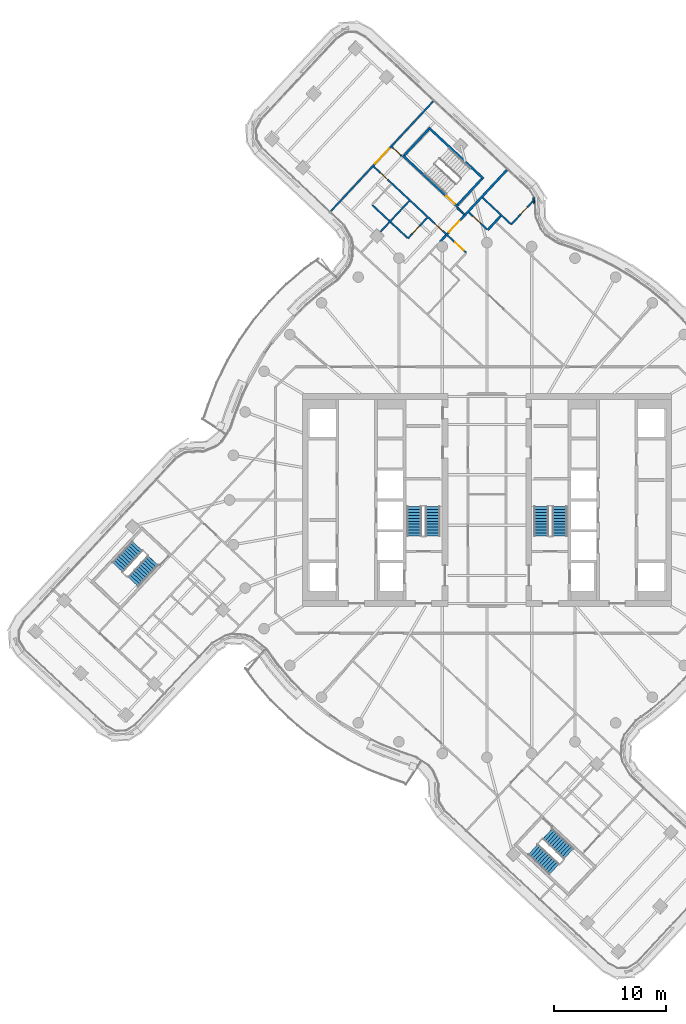
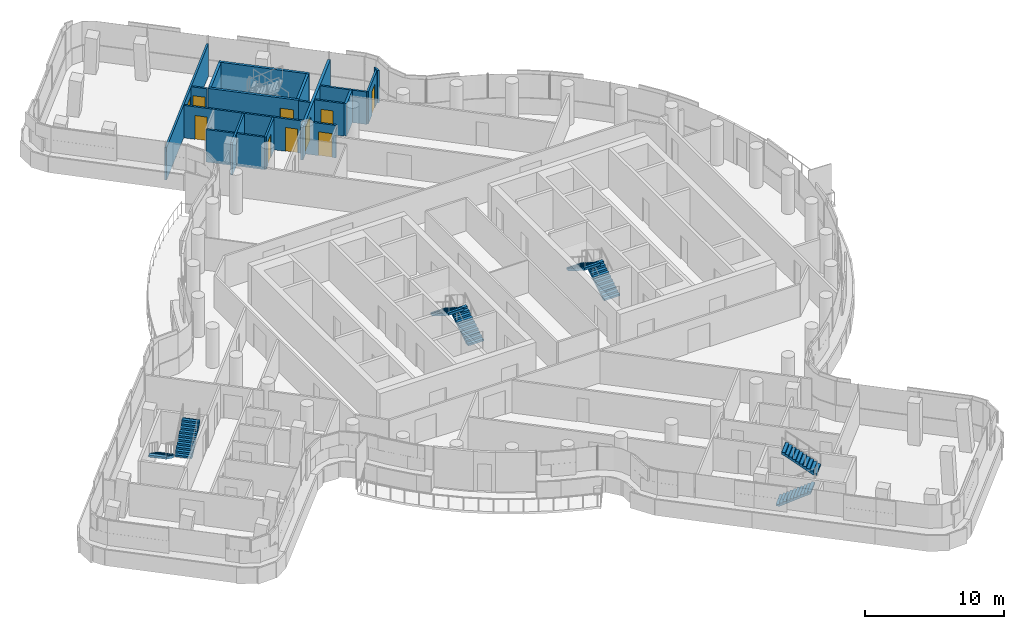
# One storey, part 21 of 30: 17 walls, 10 doors, 8 stair flights, 10 openings, 4 elements without a shape of their own.
"""IFC4 building model written with IfcOpenShell, lengths in metres."""

from ifc_helpers import new_model, si_unit, direction, frame, frame_2d, origin, place, context, subcontext, project, spatial, polyline, rectangle, outline, extrude, material, layer, layer_set, type_object, element, fill, aggregate, save


model = new_model("IFC4")

# Units and contexts
model_context = context("Model", 3, precision=1e-05, world=origin(), true_north=direction((0.0, 1.0)))
body_context = subcontext(model_context, "Body", "Model", "MODEL_VIEW")
ifc_project = project(units=[si_unit("LENGTHUNIT", "METRE"), si_unit("AREAUNIT", "SQUARE_METRE"), si_unit("VOLUMEUNIT", "CUBIC_METRE"), si_unit("PLANEANGLEUNIT", "RADIAN"), si_unit("MASSUNIT", "GRAM", prefix="KILO")], contexts=[model_context])

# Site, building, storey
site_placement = place(None, origin())
site = spatial("IfcSite", under=ifc_project, at=site_placement, CompositionType="ELEMENT")
building_placement = place(site_placement, origin())
building = spatial("IfcBuilding", under=site, at=building_placement, Name="Tamarind Cross Interchange Tower", CompositionType="ELEMENT")
storey_placement = place(building_placement, frame((0.0, 0.0, 204.10009765625)))
storey = spatial("IfcBuildingStorey", under=building, at=storey_placement, Name="L51", CompositionType="ELEMENT", Elevation=204.10009765625)

# Wall
ifc_material_1 = material(Name="Gypsum board partition on steel studs", Category="steel")
ifc_layer_1 = layer(ifc_material_1, 0.14990234375)
ifc_layer_set_1 = layer_set([ifc_layer_1], Name="Gypsum board partition on steel studs")
wall_type_1 = type_object("IfcWallType", Name="Partition 150 mm EI 120", PredefinedType="PARTITIONING", material=ifc_layer_set_1)
wall_1_placement = place(storey_placement, frame((-10.24267578125, 26.351806640625, 0.0), z_axis=(0.0, 0.0, 1.0), x_axis=(0.731425369859, -0.681921497187, 0.0)))
element("IfcWall", 1, at=wall_1_placement, inside=storey, type_object=wall_type_1, Name="Partition L51-017", PredefinedType="PARTITIONING", context=body_context, shape_type="SweptSolid", body=[
    extrude(rectangle(XDim=4.3203125, YDim=0.14990234375, at=frame_2d((2.16015625, 0.0))), origin(), (0.0, 0.0, 1.0), 2.864013671875),
])

# Wall, openings, doors
wall_2_placement = place(storey_placement, frame((-10.12353515625, 29.79443359375, 0.0), z_axis=(0.0, 0.0, 1.0), x_axis=(0.7316631589, -0.681666356738, 0.0)))
wall_2 = element("IfcWall", 2, at=wall_2_placement, inside=storey, type_object=wall_type_1, Name="Partition L51-018", PredefinedType="PARTITIONING", context=body_context, shape_type="SweptSolid", body=[
    extrude(rectangle(XDim=11.280029296875, YDim=0.14990234375, at=frame_2d((5.64013671875, 0.0))), origin(), (0.0, 0.0, 1.0), 2.864013671875),
])
opening_1_placement = place(wall_2_placement, frame((9.969970703125, 0.0, 0.0)))
opening_1 = element("IfcOpeningElement", 3, at=opening_1_placement, cuts=wall_2, Name="Opening D07", PredefinedType="OPENING", context=body_context, shape_type="SweptSolid", body=[
    extrude(rectangle(XDim=1.0, YDim=2.10009765625, at=frame_2d((0.5, 1.050048828125))), frame((0.0, 0.0849609375, 0.0), z_axis=(0.0, -1.0, 0.0), x_axis=(1.0, 0.0, 0.0)), (0.0, 0.0, 1.0), 0.169921875),
])
opening_2_placement = place(wall_2_placement, frame((7.519775390625, 0.0, 0.0)))
opening_2 = element("IfcOpeningElement", 4, at=opening_2_placement, cuts=wall_2, Name="Opening D08", PredefinedType="OPENING", context=body_context, shape_type="SweptSolid", body=[
    extrude(rectangle(XDim=0.89990234375, YDim=2.10009765625, at=frame_2d((0.449951171875, 1.050048828125))), frame((0.0, 0.0849609375, 0.0), z_axis=(0.0, -1.0, 0.0), x_axis=(1.0, 0.0, 0.0)), (0.0, 0.0, 1.0), 0.169921875),
])
opening_3_placement = place(wall_2_placement, frame((0.820068359375, 0.0, 0.0)))
opening_3 = element("IfcOpeningElement", 5, at=opening_3_placement, cuts=wall_2, Name="Opening D09", PredefinedType="OPENING", context=body_context, shape_type="SweptSolid", body=[
    extrude(rectangle(XDim=0.89990234375, YDim=2.10009765625, at=frame_2d((0.449951171875, 1.050048828125))), frame((0.0, 0.0849609375, 0.0), z_axis=(0.0, -1.0, 0.0), x_axis=(1.0, 0.0, 0.0)), (0.0, 0.0, 1.0), 0.169921875),
])
ifc_material_2 = material(Name="Fire-resisting door set")
door_type_1 = type_object("IfcDoorType", Name="Interior door 1000 x 2100 FD60S", OperationType="SINGLE_SWING_LEFT", PredefinedType="DOOR", material=ifc_material_2)
door_1_placement = place(opening_1_placement, frame((1.0, 0.0, 0.0), z_axis=(0.0, 0.0, 1.0), x_axis=(-1.0, 0.0, 0.0)))
door_1 = element("IfcDoor", 6, at=door_1_placement, inside=storey, type_object=door_type_1, Name="Door D07", OperationType="SINGLE_SWING_RIGHT", OverallHeight=2.10009765625, OverallWidth=1.0, PredefinedType="DOOR", context=body_context, shape_type="SweptSolid", body=[
    extrude(rectangle(XDim=1.0, YDim=2.10009765625, at=frame_2d((0.5, 1.050048828125))), frame((0.0, 0.02490234375, 0.0), z_axis=(0.0, -1.0, 0.0), x_axis=(1.0, 0.0, 0.0)), (0.0, 0.0, 1.0), 0.050048828125),
])
fill(opening_1, door_1)
door_type_2 = type_object("IfcDoorType", Name="Interior door 900 x 2100 FD60S", OperationType="SINGLE_SWING_LEFT", PredefinedType="DOOR", material=ifc_material_2)
door_2_placement = place(opening_2_placement, frame((0.89990234375, 0.0, 0.0), z_axis=(0.0, 0.0, 1.0), x_axis=(-1.0, 0.0, 0.0)))
door_2 = element("IfcDoor", 7, at=door_2_placement, inside=storey, type_object=door_type_2, Name="Door D08", OperationType="SINGLE_SWING_RIGHT", OverallHeight=2.10009765625, OverallWidth=0.89990234375, PredefinedType="DOOR", context=body_context, shape_type="SweptSolid", body=[
    extrude(rectangle(XDim=0.89990234375, YDim=2.10009765625, at=frame_2d((0.449951171875, 1.050048828125))), frame((0.0, 0.02490234375, 0.0), z_axis=(0.0, -1.0, 0.0), x_axis=(1.0, 0.0, 0.0)), (0.0, 0.0, 1.0), 0.050048828125),
])
fill(opening_2, door_2)
door_3_placement = place(opening_3_placement, frame((0.89990234375, 0.0, 0.0), z_axis=(0.0, 0.0, 1.0), x_axis=(-1.0, 0.0, 0.0)))
door_3 = element("IfcDoor", 8, at=door_3_placement, inside=storey, type_object=door_type_2, Name="Door D09", OperationType="SINGLE_SWING_LEFT", OverallHeight=2.10009765625, OverallWidth=0.89990234375, PredefinedType="DOOR", context=body_context, shape_type="SweptSolid", body=[
    extrude(rectangle(XDim=0.89990234375, YDim=2.10009765625, at=frame_2d((0.449951171875, 1.050048828125))), frame((0.0, 0.02490234375, 0.0), z_axis=(0.0, -1.0, 0.0), x_axis=(1.0, 0.0, 0.0)), (0.0, 0.0, 1.0), 0.050048828125),
])
fill(opening_3, door_3)

# Wall, opening, door
wall_3_placement = place(storey_placement, frame((-8.487548828125, 31.550537109375, 0.0), z_axis=(0.0, 0.0, 1.0), x_axis=(0.73159154773, -0.681743212134, 0.0)))
wall_3 = element("IfcWall", 9, at=wall_3_placement, inside=storey, type_object=wall_type_1, Name="Partition L51-019", PredefinedType="PARTITIONING", context=body_context, shape_type="SweptSolid", body=[
    extrude(rectangle(XDim=1.180419921875, YDim=0.14990234375, at=frame_2d((0.59033203125, 0.0))), origin(), (0.0, 0.0, 1.0), 2.864013671875),
])
opening_4_placement = place(wall_3_placement, frame((0.130126953125, 0.0, 0.0)))
opening_4 = element("IfcOpeningElement", 10, at=opening_4_placement, cuts=wall_3, Name="Opening D10", PredefinedType="OPENING", context=body_context, shape_type="SweptSolid", body=[
    extrude(rectangle(XDim=0.89990234375, YDim=2.10009765625, at=frame_2d((0.449951171875, 1.050048828125))), frame((0.0, 0.0849609375, 0.0), z_axis=(0.0, -1.0, 0.0), x_axis=(1.0, 0.0, 0.0)), (0.0, 0.0, 1.0), 0.169921875),
])
door_4_placement = place(opening_4_placement, origin())
door_4 = element("IfcDoor", 11, at=door_4_placement, inside=storey, type_object=door_type_2, Name="Door D10", OperationType="SINGLE_SWING_RIGHT", OverallHeight=2.10009765625, OverallWidth=0.89990234375, PredefinedType="DOOR", context=body_context, shape_type="SweptSolid", body=[
    extrude(rectangle(XDim=0.89990234375, YDim=2.10009765625, at=frame_2d((0.449951171875, 1.050048828125))), frame((0.0, 0.02490234375, 0.0), z_axis=(0.0, -1.0, 0.0), x_axis=(1.0, 0.0, 0.0)), (0.0, 0.0, 1.0), 0.050048828125),
])
fill(opening_4, door_4)

# Wall
wall_4_placement = place(storey_placement, frame((-2.663818359375, 26.123291015625, 0.0), z_axis=(0.0, 0.0, 1.0), x_axis=(0.731385767523, -0.68196397197, 0.0)))
element("IfcWall", 12, at=wall_4_placement, inside=storey, type_object=wall_type_1, Name="Partition L51-020", PredefinedType="PARTITIONING", context=body_context, shape_type="SweptSolid", body=[
    extrude(rectangle(XDim=0.859619140625, YDim=0.14990234375, at=frame_2d((0.4296875, 0.0))), origin(), (0.0, 0.0, 1.0), 2.864013671875),
])

# Wall, opening, door
wall_5_placement = place(storey_placement, frame((-1.61572265625, 25.69287109375, 0.0), z_axis=(0.0, 0.0, 1.0), x_axis=(0.731635696516, -0.68169583216, 0.0)))
wall_5 = element("IfcWall", 13, at=wall_5_placement, inside=storey, type_object=wall_type_1, Name="Partition L51-024", PredefinedType="PARTITIONING", context=body_context, shape_type="SweptSolid", body=[
    extrude(rectangle(XDim=2.195068359375, YDim=0.14990234375, at=frame_2d((1.09765625, 0.0))), origin(), (0.0, 0.0, 1.0), 2.864013671875),
])
opening_5_placement = place(wall_5_placement, frame((0.5, 0.0, 0.0)))
opening_5 = element("IfcOpeningElement", 14, at=opening_5_placement, cuts=wall_5, Name="Opening D13", PredefinedType="OPENING", context=body_context, shape_type="SweptSolid", body=[
    extrude(rectangle(XDim=0.89990234375, YDim=2.10009765625, at=frame_2d((0.449951171875, 1.050048828125))), frame((0.0, 0.0849609375, 0.0), z_axis=(0.0, -1.0, 0.0), x_axis=(1.0, 0.0, 0.0)), (0.0, 0.0, 1.0), 0.169921875),
])
door_5_placement = place(opening_5_placement, origin())
door_5 = element("IfcDoor", 15, at=door_5_placement, inside=storey, type_object=door_type_2, Name="Door D13", OperationType="SINGLE_SWING_RIGHT", OverallHeight=2.10009765625, OverallWidth=0.89990234375, PredefinedType="DOOR", context=body_context, shape_type="SweptSolid", body=[
    extrude(rectangle(XDim=0.89990234375, YDim=2.10009765625, at=frame_2d((0.449951171875, 1.050048828125))), frame((0.0, 0.02490234375, 0.0), z_axis=(0.0, -1.0, 0.0), x_axis=(1.0, 0.0, 0.0)), (0.0, 0.0, 1.0), 0.050048828125),
])
fill(opening_5, door_5)

# Wall
wall_6_placement = place(storey_placement, frame((-0.388916015625, 27.009765625, 0.0), z_axis=(0.0, 0.0, 1.0), x_axis=(0.731679144548, -0.681649198219, 0.0)))
element("IfcWall", 16, at=wall_6_placement, inside=storey, type_object=wall_type_1, Name="Partition L51-025", PredefinedType="PARTITIONING", context=body_context, shape_type="SweptSolid", body=[
    extrude(rectangle(XDim=3.4599609375, YDim=0.14990234375, at=frame_2d((1.72998046875, 0.0))), origin(), (0.0, 0.0, 1.0), 2.864013671875),
])

# Wall, opening, door
wall_7_placement = place(storey_placement, frame((-13.955322265625, 25.7998046875, 0.0), z_axis=(0.0, 0.0, 1.0), x_axis=(0.681742400868, 0.731592303717, 0.0)))
wall_7 = element("IfcWall", 17, at=wall_7_placement, inside=storey, type_object=wall_type_1, Name="Partition L51-053", PredefinedType="PARTITIONING", context=body_context, shape_type="SweptSolid", body=[
    extrude(rectangle(XDim=13.433837890625, YDim=0.14990234375, at=frame_2d((6.716796875, 0.0))), origin(), (0.0, 0.0, 1.0), 2.864013671875),
])
opening_6_placement = place(wall_7_placement, frame((5.834716796875, 0.0, 0.0)))
opening_6 = element("IfcOpeningElement", 18, at=opening_6_placement, cuts=wall_7, Name="Opening D29", PredefinedType="OPENING", context=body_context, shape_type="SweptSolid", body=[
    extrude(rectangle(XDim=1.800048828125, YDim=2.10009765625, at=frame_2d((0.89990234375, 1.050048828125))), frame((0.0, 0.0849609375, 0.0), z_axis=(0.0, -1.0, 0.0), x_axis=(1.0, 0.0, 0.0)), (0.0, 0.0, 1.0), 0.169921875),
])
door_type_3 = type_object("IfcDoorType", Name="Interior door 1800 x 2100 FD60S", OperationType="DOUBLE_DOOR_SINGLE_SWING", PredefinedType="DOOR", material=ifc_material_2)
door_6_placement = place(opening_6_placement, origin())
door_6 = element("IfcDoor", 19, at=door_6_placement, inside=storey, type_object=door_type_3, Name="Door D29", OperationType="DOUBLE_DOOR_SINGLE_SWING", OverallHeight=2.10009765625, OverallWidth=1.800048828125, PredefinedType="DOOR", context=body_context, shape_type="SweptSolid", body=[
    extrude(rectangle(XDim=1.800048828125, YDim=2.10009765625, at=frame_2d((0.89990234375, 1.050048828125))), frame((0.0, 0.02490234375, 0.0), z_axis=(0.0, -1.0, 0.0), x_axis=(1.0, 0.0, 0.0)), (0.0, 0.0, 1.0), 0.050048828125),
])
fill(opening_6, door_6)

# Wall
wall_8_placement = place(storey_placement, frame((-9.50927734375, 23.970703125, 0.0), z_axis=(0.0, 0.0, 1.0), x_axis=(0.681677436303, 0.731652836279, 0.0)))
element("IfcWall", 20, at=wall_8_placement, inside=storey, type_object=wall_type_1, Name="Partition L51-055", PredefinedType="PARTITIONING", context=body_context, shape_type="SweptSolid", body=[
    extrude(rectangle(XDim=3.76171875, YDim=0.14990234375, at=frame_2d((1.880859375, 0.0))), origin(), (0.0, 0.0, 1.0), 2.864013671875),
])

# Wall, opening, door
wall_9_placement = place(storey_placement, frame((-7.052978515625, 23.37890625, 0.0), z_axis=(0.0, 0.0, 1.0), x_axis=(0.68166548211, 0.731663973761, 0.0)))
wall_9 = element("IfcWall", 21, at=wall_9_placement, inside=storey, type_object=wall_type_1, Name="Partition L51-059", PredefinedType="PARTITIONING", context=body_context, shape_type="SweptSolid", body=[
    extrude(rectangle(XDim=2.51953125, YDim=0.14990234375, at=frame_2d((1.259765625, 0.0))), origin(), (0.0, 0.0, 1.0), 2.864013671875),
])
opening_7_placement = place(wall_9_placement, frame((0.60009765625, 0.0, 0.0)))
opening_7 = element("IfcOpeningElement", 22, at=opening_7_placement, cuts=wall_9, Name="Opening D33", PredefinedType="OPENING", context=body_context, shape_type="SweptSolid", body=[
    extrude(rectangle(XDim=0.89990234375, YDim=2.10009765625, at=frame_2d((0.449951171875, 1.050048828125))), frame((0.0, 0.0849609375, 0.0), z_axis=(0.0, -1.0, 0.0), x_axis=(1.0, 0.0, 0.0)), (0.0, 0.0, 1.0), 0.169921875),
])
door_7_placement = place(opening_7_placement, origin())
door_7 = element("IfcDoor", 23, at=door_7_placement, inside=storey, type_object=door_type_2, Name="Door D33", OperationType="SINGLE_SWING_RIGHT", OverallHeight=2.10009765625, OverallWidth=0.89990234375, PredefinedType="DOOR", context=body_context, shape_type="SweptSolid", body=[
    extrude(rectangle(XDim=0.89990234375, YDim=2.10009765625, at=frame_2d((0.449951171875, 1.050048828125))), frame((0.0, 0.02490234375, 0.0), z_axis=(0.0, -1.0, 0.0), x_axis=(1.0, 0.0, 0.0)), (0.0, 0.0, 1.0), 0.050048828125),
])
fill(opening_7, door_7)

wall_10_placement = place(storey_placement, frame((2.173095703125, 24.622802734375, 0.0), z_axis=(0.0, 0.0, 1.0), x_axis=(0.681904871808, 0.731440869657, 0.0)))
wall_10 = element("IfcWall", 24, at=wall_10_placement, inside=storey, type_object=wall_type_1, Name="Partition L51-061", PredefinedType="PARTITIONING", context=body_context, shape_type="SweptSolid", body=[
    extrude(rectangle(XDim=2.79931640625, YDim=0.14990234375, at=frame_2d((1.399658203125, 0.0))), origin(), (0.0, 0.0, 1.0), 2.864013671875),
])
opening_8_placement = place(wall_10_placement, frame((1.199951171875, 0.0, 0.0)))
opening_8 = element("IfcOpeningElement", 25, at=opening_8_placement, cuts=wall_10, Name="Opening D34", PredefinedType="OPENING", context=body_context, shape_type="SweptSolid", body=[
    extrude(rectangle(XDim=0.89990234375, YDim=2.10009765625, at=frame_2d((0.449951171875, 1.050048828125))), frame((0.0, 0.0849609375, 0.0), z_axis=(0.0, -1.0, 0.0), x_axis=(1.0, 0.0, 0.0)), (0.0, 0.0, 1.0), 0.169921875),
])
door_8_placement = place(opening_8_placement, origin())
door_8 = element("IfcDoor", 26, at=door_8_placement, inside=storey, type_object=door_type_2, Name="Door D34", OperationType="SINGLE_SWING_LEFT", OverallHeight=2.10009765625, OverallWidth=0.89990234375, PredefinedType="DOOR", context=body_context, shape_type="SweptSolid", body=[
    extrude(rectangle(XDim=0.89990234375, YDim=2.10009765625, at=frame_2d((0.449951171875, 1.050048828125))), frame((0.0, 0.02490234375, 0.0), z_axis=(0.0, -1.0, 0.0), x_axis=(1.0, 0.0, 0.0)), (0.0, 0.0, 1.0), 0.050048828125),
])
fill(opening_8, door_8)

# Wall
wall_11_placement = place(storey_placement, frame((4.2021484375, 26.52734375, 0.0), z_axis=(0.0, 0.0, 1.0), x_axis=(-0.084944200643, 0.996385709842, 0.0)))
element("IfcWall", 27, at=wall_11_placement, inside=storey, type_object=wall_type_1, Name="Partition L51-077", PredefinedType="PARTITIONING", context=body_context, shape_type="SweptSolid", body=[
    extrude(rectangle(XDim=0.5, YDim=0.14990234375, at=frame_2d((0.25, 0.0))), origin(), (0.0, 0.0, 1.0), 2.864013671875),
])

# Wall, opening, door
ifc_layer_2 = layer(ifc_material_1, 0.199951171875)
ifc_layer_set_2 = layer_set([ifc_layer_2], Name="Gypsum board partition on steel studs")
wall_type_2 = type_object("IfcWallType", Name="Partition 200 mm EI 180", PredefinedType="PARTITIONING", material=ifc_layer_set_2)
wall_12_placement = place(storey_placement, frame((-4.18408203125, 23.084716796875, 0.0), z_axis=(0.0, 0.0, 1.0), x_axis=(0.68178968738, 0.731548236402, 0.0)))
wall_12 = element("IfcWall", 28, at=wall_12_placement, inside=storey, type_object=wall_type_2, Name="Partition L51-058", PredefinedType="PARTITIONING", context=body_context, shape_type="SweptSolid", body=[
    extrude(rectangle(XDim=8.758056640625, YDim=0.199951171875, at=frame_2d((4.37890625, 0.0))), origin(), (0.0, 0.0, 1.0), 2.864013671875),
])
opening_9_placement = place(wall_12_placement, frame((1.1591796875, 0.0, 0.0)))
opening_9 = element("IfcOpeningElement", 29, at=opening_9_placement, cuts=wall_12, Name="Opening D32", PredefinedType="OPENING", context=body_context, shape_type="SweptSolid", body=[
    extrude(rectangle(XDim=1.39990234375, YDim=2.10009765625, at=frame_2d((0.699951171875, 1.050048828125))), frame((0.0, 0.10986328125, 0.0), z_axis=(0.0, -1.0, 0.0), x_axis=(1.0, 0.0, 0.0)), (0.0, 0.0, 1.0), 0.219970703125),
])
door_type_4 = type_object("IfcDoorType", Name="Interior door 1400 x 2100 FD120S", OperationType="DOUBLE_DOOR_SINGLE_SWING", PredefinedType="DOOR", material=ifc_material_2)
door_9_placement = place(opening_9_placement, frame((1.39990234375, 0.0, 0.0), z_axis=(0.0, 0.0, 1.0), x_axis=(-1.0, 0.0, 0.0)))
door_9 = element("IfcDoor", 30, at=door_9_placement, inside=storey, type_object=door_type_4, Name="Door D32", OperationType="DOUBLE_DOOR_SINGLE_SWING", OverallHeight=2.10009765625, OverallWidth=1.39990234375, PredefinedType="DOOR", context=body_context, shape_type="SweptSolid", body=[
    extrude(rectangle(XDim=1.39990234375, YDim=2.10009765625, at=frame_2d((0.699951171875, 1.050048828125))), frame((0.0, 0.02490234375, 0.0), z_axis=(0.0, -1.0, 0.0), x_axis=(1.0, 0.0, 0.0)), (0.0, 0.0, 1.0), 0.050048828125),
])
fill(opening_9, door_9)

# Wall
wall_13_placement = place(storey_placement, frame((0.06640625, 24.12548828125, 0.0), z_axis=(0.0, 0.0, 1.0), x_axis=(0.681609901537, 0.731715752275, 0.0)))
element("IfcWall", 31, at=wall_13_placement, inside=storey, type_object=wall_type_2, Name="Partition L51-063", PredefinedType="PARTITIONING", context=body_context, shape_type="SweptSolid", body=[
    extrude(rectangle(XDim=1.719970703125, YDim=0.199951171875, at=frame_2d((0.85986328125, 0.0))), origin(), (0.0, 0.0, 1.0), 2.864013671875),
])

# Wall, opening, door
ifc_material_3 = material(Name="Concrete C40", Category="concrete")
ifc_layer_3 = layer(ifc_material_3, 0.199951171875)
ifc_layer_set_3 = layer_set([ifc_layer_3], Name="Concrete C40")
wall_type_3 = type_object("IfcWallType", Name="Stair shaft wall 200 mm Concrete C40", PredefinedType="SHEAR", material=ifc_layer_set_3)
wall_14_placement = place(storey_placement, frame((-2.625, 26.2236328125, -0.14013671875), z_axis=(0.0, 0.0, 1.0), x_axis=(-0.731556739466, 0.681780563629, 0.0)))
wall_14 = element("IfcWall", 32, at=wall_14_placement, inside=storey, type_object=wall_type_3, Name="Core wall CWL-L51-ST4-H", PredefinedType="SHEAR", context=body_context, shape_type="SweptSolid", body=[
    extrude(rectangle(XDim=6.699951171875, YDim=0.199951171875, at=frame_2d((3.35009765625, 0.0))), origin(), (0.0, 0.0, 1.0), 3.004150390625),
])
opening_10_placement = place(wall_14_placement, frame((0.35009765625, 0.0, 0.0)))
opening_10 = element("IfcOpeningElement", 33, at=opening_10_placement, cuts=wall_14, Name="Opening ST4L51", PredefinedType="OPENING", context=body_context, shape_type="SweptSolid", body=[
    extrude(rectangle(XDim=1.0, YDim=2.10009765625, at=frame_2d((0.5, 1.050048828125))), frame((0.0, 0.10986328125, 0.0), z_axis=(0.0, -1.0, 0.0), x_axis=(1.0, 0.0, 0.0)), (0.0, 0.0, 1.0), 0.219970703125),
])
ifc_material_4 = material(Name="Steel, fire-resisting", Category="steel")
door_type_5 = type_object("IfcDoorType", Name="Core fire door 1000 x 2100 FD90", OperationType="SINGLE_SWING_LEFT", PredefinedType="DOOR", material=ifc_material_4)
door_10_placement = place(opening_10_placement, origin())
door_10 = element("IfcDoor", 34, at=door_10_placement, inside=storey, type_object=door_type_5, Name="L51 stair door ST4", OperationType="SINGLE_SWING_LEFT", OverallHeight=2.10009765625, OverallWidth=1.0, PredefinedType="DOOR", context=body_context, shape_type="SweptSolid", body=[
    extrude(rectangle(XDim=1.0, YDim=2.10009765625, at=frame_2d((0.5, 1.050048828125))), frame((0.0, 0.02490234375, 0.0), z_axis=(0.0, -1.0, 0.0), x_axis=(1.0, 0.0, 0.0)), (0.0, 0.0, 1.0), 0.050048828125),
])
fill(opening_10, door_10)

# Walls
wall_15_placement = place(storey_placement, frame((-0.306884765625, 28.7109375, -0.14013671875), z_axis=(0.0, 0.0, 1.0), x_axis=(-0.731556739466, 0.681780563629, 0.0)))
element("IfcWall", 35, at=wall_15_placement, inside=storey, type_object=wall_type_3, Name="Core wall CWL-L51-ST4-C", PredefinedType="SHEAR", context=body_context, shape_type="SweptSolid", body=[
    extrude(rectangle(XDim=6.699951171875, YDim=0.199951171875, at=frame_2d((3.35009765625, 0.0))), origin(), (0.0, 0.0, 1.0), 3.004150390625),
])
wall_16_placement = place(storey_placement, frame((-0.4482421875, 28.705810546875, -0.14013671875), z_axis=(0.0, 0.0, 1.0), x_axis=(-0.681836962864, -0.731504173653, 0.0)))
element("IfcWall", 36, at=wall_16_placement, inside=storey, type_object=wall_type_3, Name="Core wall CWL-L51-ST4-CE", PredefinedType="SHEAR", context=body_context, shape_type="SweptSolid", body=[
    extrude(rectangle(XDim=3.199951171875, YDim=0.199951171875, at=frame_2d((1.60009765625, 0.0))), origin(), (0.0, 0.0, 1.0), 3.004150390625),
])
wall_17_placement = place(storey_placement, frame((0.0, 0.0, -0.14013671875)))
element("IfcWall", 37, at=wall_17_placement, inside=storey, type_object=wall_type_3, Name="Core wall CWL-L51-ST4-CF", PredefinedType="SHEAR", context=body_context, shape_type="SweptSolid", body=[
    extrude(outline(polyline([(-5.130126953125, 33.0693359375), (-5.276611328125, 33.205810546875), (-7.458251953125, 30.86474609375), (-7.31201171875, 30.728515625), (-5.130126953125, 33.0693359375)])), origin(), (0.0, 0.0, 1.0), 3.004150390625),
])

# Stair, stair flights
ifc_material_5 = material(Name="Exit stair")
stair_type = type_object("IfcStairType", Name="Exit stair", PredefinedType="HALF_TURN_STAIR", material=ifc_material_5)
stair_1_placement = place(storey_placement, origin())
stair_1 = element("IfcStair", 38, at=stair_1_placement, inside=storey, type_object=stair_type, Name="L51 exit stair ST1", PredefinedType="HALF_TURN_STAIR")
ifc_material_6 = material(Name="Exit stair flight")
stair_flight_type = type_object("IfcStairFlightType", Name="Exit stair flight", PredefinedType="STRAIGHT", material=ifc_material_6)
stair_flight_1_placement = place(storey_placement, frame((-4.85009765625, -3.199951171875, 0.0), z_axis=(0.0, 0.0, 1.0), x_axis=(0.0, 1.0, 0.0)))
stair_flight_1 = element("IfcStairFlight", 39, at=stair_flight_1_placement, type_object=stair_flight_type, Name="ST1 flight 1", NumberOfRisers=11, NumberOfTreads=10, PredefinedType="STRAIGHT", RiserHeight=0.163636364, TreadLength=0.26, context=body_context, shape_type="SweptSolid", body=[
    extrude(outline(polyline([(0.0, 0.0), (0.0, 0.16357421875), (0.260009765625, 0.16357421875), (0.260009765625, 0.327392578125), (0.52001953125, 0.327392578125), (0.52001953125, 0.490966796875), (0.780029296875, 0.490966796875), (0.780029296875, 0.654541015625), (1.0400390625, 0.654541015625), (1.0400390625, 0.818115234375), (1.300048828125, 0.818115234375), (1.300048828125, 0.98193359375), (1.56005859375, 0.98193359375), (1.56005859375, 1.1455078125), (1.820068359375, 1.1455078125), (1.820068359375, 1.30908203125), (2.080078125, 1.30908203125), (2.080078125, 1.47265625), (2.340087890625, 1.47265625), (2.340087890625, 1.636474609375), (2.60009765625, 1.636474609375), (2.60009765625, 1.800048828125), (2.60009765625, 1.459228515625), (0.281494140625, 0.0), (0.0, 0.0)])), frame((0.0, 0.64990234375, 0.0), z_axis=(0.0, -1.0, 0.0), x_axis=(1.0, 0.0, 0.0)), (0.0, 0.0, 1.0), 1.300048828125),
])
stair_flight_2_placement = place(storey_placement, frame((-6.5, -0.60009765625, 1.7998046875), z_axis=(0.0, 0.0, 1.0), x_axis=(0.0, -1.0, 0.0)))
stair_flight_2 = element("IfcStairFlight", 40, at=stair_flight_2_placement, type_object=stair_flight_type, Name="ST1 flight 2", NumberOfRisers=11, NumberOfTreads=10, PredefinedType="STRAIGHT", RiserHeight=0.163636364, TreadLength=0.26, context=body_context, shape_type="SweptSolid", body=[
    extrude(outline(polyline([(0.0, 0.0), (0.0, 0.16357421875), (0.260009765625, 0.16357421875), (0.260009765625, 0.327392578125), (0.52001953125, 0.327392578125), (0.52001953125, 0.490966796875), (0.780029296875, 0.490966796875), (0.780029296875, 0.654541015625), (1.0400390625, 0.654541015625), (1.0400390625, 0.818115234375), (1.300048828125, 0.818115234375), (1.300048828125, 0.98193359375), (1.56005859375, 0.98193359375), (1.56005859375, 1.1455078125), (1.820068359375, 1.1455078125), (1.820068359375, 1.30908203125), (2.080078125, 1.30908203125), (2.080078125, 1.47265625), (2.340087890625, 1.47265625), (2.340087890625, 1.636474609375), (2.60009765625, 1.636474609375), (2.60009765625, 1.679931640625), (2.612060546875, 1.679931640625), (2.612060546875, 1.466796875), (0.281494140625, 0.0), (0.0, 0.0)])), frame((0.0, 0.64990234375, 0.0), z_axis=(0.0, -1.0, 0.0), x_axis=(1.0, 0.0, 0.0)), (0.0, 0.0, 1.0), 1.300048828125),
])
aggregate(stair_1, [stair_flight_1, stair_flight_2])

stair_2_placement = place(storey_placement, origin())
stair_2 = element("IfcStair", 41, at=stair_2_placement, inside=storey, type_object=stair_type, Name="L51 exit stair ST2", PredefinedType="HALF_TURN_STAIR")
stair_flight_3_placement = place(storey_placement, frame((6.5, -3.199951171875, 0.0), z_axis=(0.0, 0.0, 1.0), x_axis=(0.0, 1.0, 0.0)))
stair_flight_3 = element("IfcStairFlight", 42, at=stair_flight_3_placement, type_object=stair_flight_type, Name="ST2 flight 1", NumberOfRisers=11, NumberOfTreads=10, PredefinedType="STRAIGHT", RiserHeight=0.163636364, TreadLength=0.26, context=body_context, shape_type="SweptSolid", body=[
    extrude(outline(polyline([(0.0, 0.0), (0.0, 0.16357421875), (0.260009765625, 0.16357421875), (0.260009765625, 0.327392578125), (0.52001953125, 0.327392578125), (0.52001953125, 0.490966796875), (0.780029296875, 0.490966796875), (0.780029296875, 0.654541015625), (1.0400390625, 0.654541015625), (1.0400390625, 0.818115234375), (1.300048828125, 0.818115234375), (1.300048828125, 0.98193359375), (1.56005859375, 0.98193359375), (1.56005859375, 1.1455078125), (1.820068359375, 1.1455078125), (1.820068359375, 1.30908203125), (2.080078125, 1.30908203125), (2.080078125, 1.47265625), (2.340087890625, 1.47265625), (2.340087890625, 1.636474609375), (2.60009765625, 1.636474609375), (2.60009765625, 1.800048828125), (2.60009765625, 1.459228515625), (0.281494140625, 0.0), (0.0, 0.0)])), frame((0.0, 0.64990234375, 0.0), z_axis=(0.0, -1.0, 0.0), x_axis=(1.0, 0.0, 0.0)), (0.0, 0.0, 1.0), 1.300048828125),
])
stair_flight_4_placement = place(storey_placement, frame((4.85009765625, -0.60009765625, 1.7998046875), z_axis=(0.0, 0.0, 1.0), x_axis=(0.0, -1.0, 0.0)))
stair_flight_4 = element("IfcStairFlight", 43, at=stair_flight_4_placement, type_object=stair_flight_type, Name="ST2 flight 2", NumberOfRisers=11, NumberOfTreads=10, PredefinedType="STRAIGHT", RiserHeight=0.163636364, TreadLength=0.26, context=body_context, shape_type="SweptSolid", body=[
    extrude(outline(polyline([(0.0, 0.0), (0.0, 0.16357421875), (0.260009765625, 0.16357421875), (0.260009765625, 0.327392578125), (0.52001953125, 0.327392578125), (0.52001953125, 0.490966796875), (0.780029296875, 0.490966796875), (0.780029296875, 0.654541015625), (1.0400390625, 0.654541015625), (1.0400390625, 0.818115234375), (1.300048828125, 0.818115234375), (1.300048828125, 0.98193359375), (1.56005859375, 0.98193359375), (1.56005859375, 1.1455078125), (1.820068359375, 1.1455078125), (1.820068359375, 1.30908203125), (2.080078125, 1.30908203125), (2.080078125, 1.47265625), (2.340087890625, 1.47265625), (2.340087890625, 1.636474609375), (2.60009765625, 1.636474609375), (2.60009765625, 1.679931640625), (2.612060546875, 1.679931640625), (2.612060546875, 1.466796875), (0.281494140625, 0.0), (0.0, 0.0)])), frame((0.0, 0.64990234375, 0.0), z_axis=(0.0, -1.0, 0.0), x_axis=(1.0, 0.0, 0.0)), (0.0, 0.0, 1.0), 1.300048828125),
])
aggregate(stair_2, [stair_flight_3, stair_flight_4])

stair_3_placement = place(storey_placement, origin())
stair_3 = element("IfcStair", 44, at=stair_3_placement, inside=storey, type_object=stair_type, Name="L51 exit stair ST5", PredefinedType="HALF_TURN_STAIR")
stair_flight_5_placement = place(storey_placement, frame((-31.230224609375, -4.1103515625, 0.0), z_axis=(0.0, 0.0, 1.0), x_axis=(-0.681794100992, -0.73154412297, 0.0)))
stair_flight_5 = element("IfcStairFlight", 45, at=stair_flight_5_placement, type_object=stair_flight_type, Name="ST5 flight 1", NumberOfRisers=11, NumberOfTreads=10, PredefinedType="STRAIGHT", RiserHeight=0.163636364, TreadLength=0.26, context=body_context, shape_type="SweptSolid", body=[
    extrude(outline(polyline([(0.0, 0.0), (0.0, 0.16357421875), (0.260009765625, 0.16357421875), (0.260009765625, 0.327392578125), (0.52001953125, 0.327392578125), (0.52001953125, 0.490966796875), (0.780029296875, 0.490966796875), (0.780029296875, 0.654541015625), (1.0400390625, 0.654541015625), (1.0400390625, 0.818115234375), (1.300048828125, 0.818115234375), (1.300048828125, 0.98193359375), (1.56005859375, 0.98193359375), (1.56005859375, 1.1455078125), (1.820068359375, 1.1455078125), (1.820068359375, 1.30908203125), (2.080078125, 1.30908203125), (2.080078125, 1.47265625), (2.340087890625, 1.47265625), (2.340087890625, 1.636474609375), (2.60009765625, 1.636474609375), (2.60009765625, 1.800048828125), (2.60009765625, 1.459228515625), (0.281494140625, 0.0), (0.0, 0.0)])), frame((0.0, 0.64990234375, 0.0), z_axis=(0.0, -1.0, 0.0), x_axis=(1.0, 0.0, 0.0)), (0.0, 0.0, 1.0), 1.300048828125),
])
stair_flight_6_placement = place(storey_placement, frame((-31.613037109375, -7.3076171875, 1.7998046875), z_axis=(0.0, 0.0, 1.0), x_axis=(0.681794100992, 0.73154412297, 0.0)))
stair_flight_6 = element("IfcStairFlight", 46, at=stair_flight_6_placement, type_object=stair_flight_type, Name="ST5 flight 2", NumberOfRisers=11, NumberOfTreads=10, PredefinedType="STRAIGHT", RiserHeight=0.163636364, TreadLength=0.26, context=body_context, shape_type="SweptSolid", body=[
    extrude(outline(polyline([(0.0, 0.0), (0.0, 0.16357421875), (0.260009765625, 0.16357421875), (0.260009765625, 0.327392578125), (0.52001953125, 0.327392578125), (0.52001953125, 0.490966796875), (0.780029296875, 0.490966796875), (0.780029296875, 0.654541015625), (1.0400390625, 0.654541015625), (1.0400390625, 0.818115234375), (1.300048828125, 0.818115234375), (1.300048828125, 0.98193359375), (1.56005859375, 0.98193359375), (1.56005859375, 1.1455078125), (1.820068359375, 1.1455078125), (1.820068359375, 1.30908203125), (2.080078125, 1.30908203125), (2.080078125, 1.47265625), (2.340087890625, 1.47265625), (2.340087890625, 1.636474609375), (2.60009765625, 1.636474609375), (2.60009765625, 1.679931640625), (2.612060546875, 1.679931640625), (2.612060546875, 1.466796875), (0.281494140625, 0.0), (0.0, 0.0)])), frame((0.0, 0.64990234375, 0.0), z_axis=(0.0, -1.0, 0.0), x_axis=(1.0, 0.0, 0.0)), (0.0, 0.0, 1.0), 1.300048828125),
])
aggregate(stair_3, [stair_flight_5, stair_flight_6])

stair_4_placement = place(storey_placement, origin())
stair_4 = element("IfcStair", 47, at=stair_4_placement, inside=storey, type_object=stair_type, Name="L51 exit stair ST6", PredefinedType="HALF_TURN_STAIR")
stair_flight_7_placement = place(storey_placement, frame((4.1103515625, -31.230224609375, 0.0), z_axis=(0.0, 0.0, 1.0), x_axis=(0.73154412297, -0.681794100992, 0.0)))
stair_flight_7 = element("IfcStairFlight", 48, at=stair_flight_7_placement, type_object=stair_flight_type, Name="ST6 flight 1", NumberOfRisers=11, NumberOfTreads=10, PredefinedType="STRAIGHT", RiserHeight=0.163636364, TreadLength=0.26, context=body_context, shape_type="SweptSolid", body=[
    extrude(outline(polyline([(0.0, 0.0), (0.0, 0.16357421875), (0.260009765625, 0.16357421875), (0.260009765625, 0.327392578125), (0.52001953125, 0.327392578125), (0.52001953125, 0.490966796875), (0.780029296875, 0.490966796875), (0.780029296875, 0.654541015625), (1.0400390625, 0.654541015625), (1.0400390625, 0.818115234375), (1.300048828125, 0.818115234375), (1.300048828125, 0.98193359375), (1.56005859375, 0.98193359375), (1.56005859375, 1.1455078125), (1.820068359375, 1.1455078125), (1.820068359375, 1.30908203125), (2.080078125, 1.30908203125), (2.080078125, 1.47265625), (2.340087890625, 1.47265625), (2.340087890625, 1.636474609375), (2.60009765625, 1.636474609375), (2.60009765625, 1.800048828125), (2.60009765625, 1.459228515625), (0.281494140625, 0.0), (0.0, 0.0)])), frame((0.0, 0.64990234375, 0.0), z_axis=(0.0, -1.0, 0.0), x_axis=(1.0, 0.0, 0.0)), (0.0, 0.0, 1.0), 1.300048828125),
])
stair_flight_8_placement = place(storey_placement, frame((7.3076171875, -31.613037109375, 1.7998046875), z_axis=(0.0, 0.0, 1.0), x_axis=(-0.73154412297, 0.681794100992, 0.0)))
stair_flight_8 = element("IfcStairFlight", 49, at=stair_flight_8_placement, type_object=stair_flight_type, Name="ST6 flight 2", NumberOfRisers=11, NumberOfTreads=10, PredefinedType="STRAIGHT", RiserHeight=0.163636364, TreadLength=0.26, context=body_context, shape_type="SweptSolid", body=[
    extrude(outline(polyline([(0.0, 0.0), (0.0, 0.16357421875), (0.260009765625, 0.16357421875), (0.260009765625, 0.327392578125), (0.52001953125, 0.327392578125), (0.52001953125, 0.490966796875), (0.780029296875, 0.490966796875), (0.780029296875, 0.654541015625), (1.0400390625, 0.654541015625), (1.0400390625, 0.818115234375), (1.300048828125, 0.818115234375), (1.300048828125, 0.98193359375), (1.56005859375, 0.98193359375), (1.56005859375, 1.1455078125), (1.820068359375, 1.1455078125), (1.820068359375, 1.30908203125), (2.080078125, 1.30908203125), (2.080078125, 1.47265625), (2.340087890625, 1.47265625), (2.340087890625, 1.636474609375), (2.60009765625, 1.636474609375), (2.60009765625, 1.679931640625), (2.612060546875, 1.679931640625), (2.612060546875, 1.466796875), (0.281494140625, 0.0), (0.0, 0.0)])), frame((0.0, 0.64990234375, 0.0), z_axis=(0.0, -1.0, 0.0), x_axis=(1.0, 0.0, 0.0)), (0.0, 0.0, 1.0), 1.300048828125),
])
aggregate(stair_4, [stair_flight_7, stair_flight_8])

save(model, "model.ifc")
